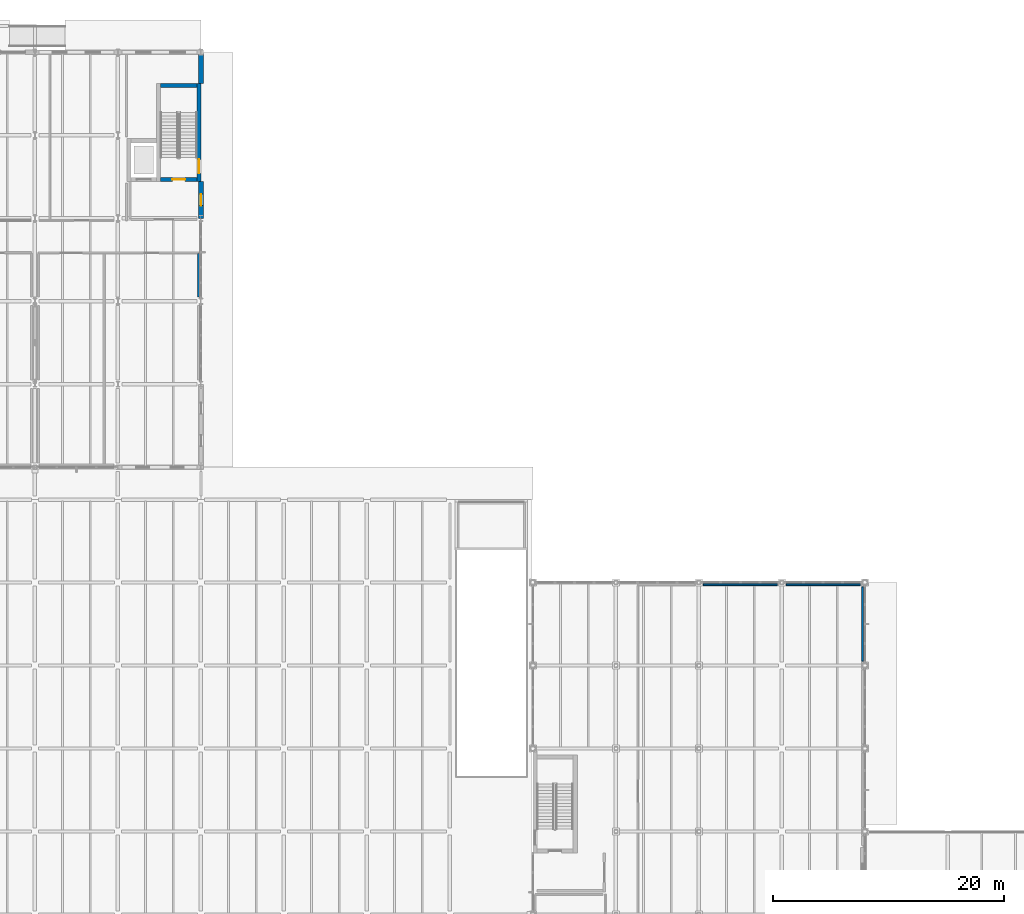
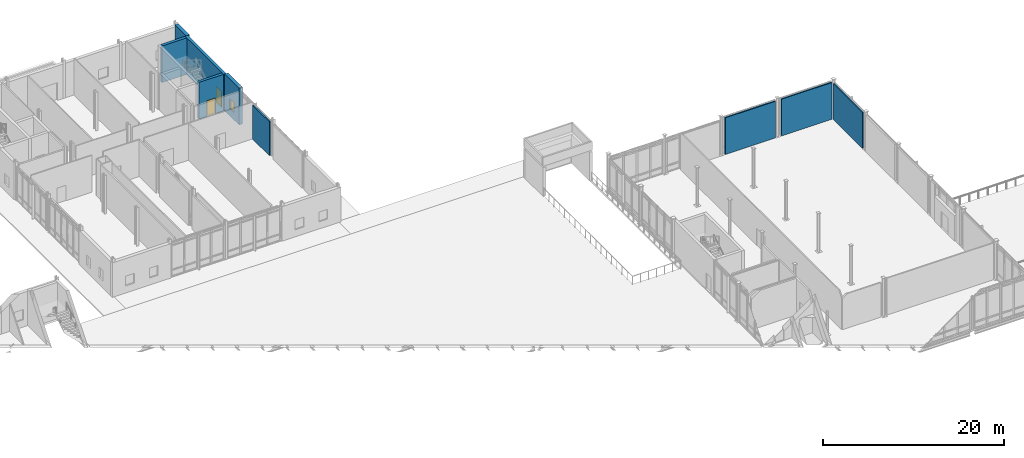
# One storey, part 70 of 89: 9 walls, 2 doors, 1 window, 3 openings.
"""IFC4 building model written with IfcOpenShell, lengths in metres."""

from ifc_helpers import new_model, si_unit, direction, frame, frame_2d, origin, place, context, subcontext, project, spatial, rectangle, extrude, material, layer, layer_set, type_object, element, fill, save


model = new_model("IFC4")

# Units and contexts
model_context = context("Model", 3, precision=1e-05, world=origin(), true_north=direction((0.0, 1.0)))
body_context = subcontext(model_context, "Body", "Model", "MODEL_VIEW")
ifc_project = project(units=[si_unit("LENGTHUNIT", "METRE"), si_unit("AREAUNIT", "SQUARE_METRE"), si_unit("VOLUMEUNIT", "CUBIC_METRE"), si_unit("PLANEANGLEUNIT", "RADIAN"), si_unit("MASSUNIT", "GRAM", prefix="KILO")], contexts=[model_context])

# Site, building, storey
site_placement = place(None, origin())
site = spatial("IfcSite", under=ifc_project, at=site_placement, CompositionType="ELEMENT")
building_placement = place(site_placement, origin())
building = spatial("IfcBuilding", under=site, at=building_placement, Name="Zarrinpeak Specialist Clinic", CompositionType="ELEMENT")
storey_placement = place(building_placement, origin())
storey = spatial("IfcBuildingStorey", under=building, at=storey_placement, Name="L00", CompositionType="ELEMENT", Elevation=0.0)

# Wall, opening, door
ifc_material_1 = material(Name="Concrete C40/50", Category="concrete")
ifc_layer_1 = layer(ifc_material_1, 0.35009765625)
ifc_layer_set_1 = layer_set([ifc_layer_1], Name="Concrete C40/50")
wall_type_1 = type_object("IfcWallType", Name="WL-CR350", PredefinedType="SHEAR", material=ifc_layer_set_1)
wall_1_placement = place(storey_placement, frame((61.300048828125, 106.97509765625, 0.0), z_axis=(0.0, 0.0, 1.0), x_axis=(1.0, 0.0, 0.0)))
wall_1 = element("IfcWall", 1, at=wall_1_placement, inside=storey, type_object=wall_type_1, Name="L00 Core C12 Shear Wall STS", PredefinedType="SHEAR", context=body_context, shape_type="SweptSolid", body=[
    extrude(rectangle(XDim=3.14990234375, YDim=0.35009765625, at=frame_2d((1.574951171875, 0.0))), origin(), (0.0, 0.0, 1.0), 4.969970703125),
])
opening_1_placement = place(wall_1_placement, frame((1.02490234375, 0.0, 0.0)))
opening_1 = element("IfcOpeningElement", 2, at=opening_1_placement, cuts=wall_1, Name="Opening D-S02", PredefinedType="OPENING", context=body_context, shape_type="SweptSolid", body=[
    extrude(rectangle(XDim=1.10009765625, YDim=2.14990234375, at=frame_2d((0.550048828125, 1.074951171875))), frame((0.0, 0.18505859375, 0.0), z_axis=(0.0, -1.0, 0.0), x_axis=(1.0, 0.0, 0.0)), (0.0, 0.0, 1.0), 0.3701171875),
])
ifc_material_2 = material(Name="Powder-Coated Galvanised Steel", Category="steel")
door_type_1 = type_object("IfcDoorType", Name="DR-FD110", OperationType="SINGLE_SWING_RIGHT", PredefinedType="DOOR", material=ifc_material_2)
door_1_placement = place(opening_1_placement, origin())
door_1 = element("IfcDoor", 3, at=door_1_placement, inside=storey, type_object=door_type_1, Name="L00 Protected Stair ST-12 Fire Door", OperationType="SINGLE_SWING_RIGHT", OverallHeight=2.14990234375, OverallWidth=1.10009765625, PredefinedType="DOOR", context=body_context, shape_type="SweptSolid", body=[
    extrude(rectangle(XDim=1.10009765625, YDim=2.14990234375, at=frame_2d((0.550048828125, 1.074951171875))), frame((0.0, 0.02490234375, 0.0), z_axis=(0.0, -1.0, 0.0), x_axis=(1.0, 0.0, 0.0)), (0.0, 0.0, 1.0), 0.050048828125),
])
fill(opening_1, door_1)

# Wall
wall_2_placement = place(storey_placement, frame((61.300048828125, 115.125, 0.0), z_axis=(0.0, 0.0, 1.0), x_axis=(1.0, 0.0, 0.0)))
element("IfcWall", 4, at=wall_2_placement, inside=storey, type_object=wall_type_1, Name="L00 Core C12 Shear Wall STN", PredefinedType="SHEAR", context=body_context, shape_type="SweptSolid", body=[
    extrude(rectangle(XDim=3.14990234375, YDim=0.35009765625, at=frame_2d((1.574951171875, 0.0))), origin(), (0.0, 0.0, 1.0), 4.969970703125),
])

# Wall, opening, door
wall_3_placement = place(storey_placement, frame((64.625, 106.800048828125, 0.0), z_axis=(0.0, 0.0, 1.0), x_axis=(0.0, 1.0, 0.0)))
wall_3 = element("IfcWall", 5, at=wall_3_placement, inside=storey, type_object=wall_type_1, Name="L00 Core C12 Shear Wall STE", PredefinedType="SHEAR", context=body_context, shape_type="SweptSolid", body=[
    extrude(rectangle(XDim=8.5, YDim=0.35009765625, at=frame_2d((4.25, 0.0))), origin(), (0.0, 0.0, 1.0), 4.969970703125),
])
opening_2_placement = place(wall_3_placement, frame((0.699951171875, 0.0, 0.0)))
opening_2 = element("IfcOpeningElement", 6, at=opening_2_placement, cuts=wall_3, Name="Opening D-EX2", PredefinedType="OPENING", context=body_context, shape_type="SweptSolid", body=[
    extrude(rectangle(XDim=1.199951171875, YDim=2.14990234375, at=frame_2d((0.60009765625, 1.074951171875))), frame((0.0, 0.18505859375, 0.0), z_axis=(0.0, -1.0, 0.0), x_axis=(1.0, 0.0, 0.0)), (0.0, 0.0, 1.0), 0.3701171875),
])
ifc_material_3 = material(Name="Powder-Coated Steel and Safety Glazing", Category="steel")
door_type_2 = type_object("IfcDoorType", Name="DR-EX120", OperationType="SINGLE_SWING_LEFT", PredefinedType="DOOR", material=ifc_material_3)
door_2_placement = place(opening_2_placement, frame((1.199951171875, 0.0, 0.0), z_axis=(0.0, 0.0, 1.0), x_axis=(-1.0, 0.0, 0.0)))
door_2 = element("IfcDoor", 7, at=door_2_placement, inside=storey, type_object=door_type_2, Name="L00 Protected Stair ST-12 Final Exit Discharge Door ED-12", OperationType="SINGLE_SWING_LEFT", OverallHeight=2.14990234375, OverallWidth=1.199951171875, PredefinedType="DOOR", context=body_context, shape_type="SweptSolid", body=[
    extrude(rectangle(XDim=1.199951171875, YDim=2.14990234375, at=frame_2d((0.60009765625, 1.074951171875))), frame((0.0, 0.02490234375, 0.0), z_axis=(0.0, -1.0, 0.0), x_axis=(1.0, 0.0, 0.0)), (0.0, 0.0, 1.0), 0.050048828125),
])
fill(opening_2, door_2)

# Wall, opening, window
ifc_material_4 = material(Name="Precast concrete C40/50", Category="concrete")
ifc_layer_2 = layer(ifc_material_4, 0.419921875)
ifc_layer_set_2 = layer_set([ifc_layer_2], Name="Precast concrete C40/50")
wall_type_2 = type_object("IfcWallType", Name="WL-EW420", PredefinedType="STANDARD", material=ifc_layer_set_2)
wall_4_placement = place(storey_placement, frame((64.800048828125, 103.60009765625, 0.0), z_axis=(0.0, 0.0, 1.0), x_axis=(0.0, 1.0, 0.0)))
wall_4 = element("IfcWall", 8, at=wall_4_placement, inside=storey, type_object=wall_type_2, Name="L00 V6 Exterior GRC Wall EW-L00-V6-0275", PredefinedType="STANDARD", context=body_context, shape_type="SweptSolid", body=[
    extrude(rectangle(XDim=3.199951171875, YDim=0.419921875, at=frame_2d((1.60009765625, 0.0))), origin(), (0.0, 0.0, 1.0), 4.969970703125),
])
opening_3_placement = place(wall_4_placement, frame((1.10205078125, 0.0, 0.949951171875)))
opening_3 = element("IfcOpeningElement", 9, at=opening_3_placement, cuts=wall_4, Name="Opening WS-44", PredefinedType="OPENING", context=body_context, shape_type="SweptSolid", body=[
    extrude(rectangle(XDim=0.99609375, YDim=1.367919921875, at=frame_2d((0.498046875, 0.68408203125))), frame((0.0, 0.219970703125, 0.0), z_axis=(0.0, -1.0, 0.0), x_axis=(1.0, 0.0, 0.0)), (0.0, 0.0, 1.0), 0.43994140625),
])
ifc_material_5 = material(Name="Thermally Broken Aluminium and Low-E Glazing", Category="aluminium")
window_type = type_object("IfcWindowType", Name="WN-SP44", PartitioningType="SINGLE_PANEL", PredefinedType="WINDOW", material=ifc_material_5)
window_placement = place(opening_3_placement, origin())
window = element("IfcWindow", 10, at=window_placement, inside=storey, type_object=window_type, Name="L00 Modular Facade Window WN-L00-0310", OverallHeight=1.367919921875, OverallWidth=0.99609375, PartitioningType="SINGLE_PANEL", PredefinedType="WINDOW", context=body_context, shape_type="SweptSolid", body=[
    extrude(rectangle(XDim=0.99609375, YDim=1.367919921875, at=frame_2d((0.498046875, 0.68408203125))), frame((0.0, 0.030029296875, 0.0), z_axis=(0.0, -1.0, 0.0), x_axis=(1.0, 0.0, 0.0)), (0.0, 0.0, 1.0), 0.06005859375),
])
fill(opening_3, window)

# Walls
wall_5_placement = place(storey_placement, frame((64.800048828125, 115.300048828125, 0.0), z_axis=(0.0, 0.0, 1.0), x_axis=(0.0, 1.0, 0.0)))
element("IfcWall", 11, at=wall_5_placement, inside=storey, type_object=wall_type_2, Name="L00 V6 Exterior GRC Wall EW-L00-V6-0276", PredefinedType="STANDARD", context=body_context, shape_type="SweptSolid", body=[
    extrude(rectangle(XDim=2.489990234375, YDim=0.419921875, at=frame_2d((1.2451171875, 0.0))), origin(), (0.0, 0.0, 1.0), 4.969970703125),
])
ifc_material_6 = material(Name="Insulated Clinical Gypsum Stud Partition", Category="gypsum")
ifc_layer_3 = layer(ifc_material_6, 0.14990234375)
ifc_layer_set_3 = layer_set([ifc_layer_3], Name="Insulated Clinical Gypsum Stud Partition")
wall_type_3 = type_object("IfcWallType", Name="WL-IW150", PredefinedType="PARTITIONING", material=ifc_layer_set_3)
wall_6_placement = place(storey_placement, frame((108.3798828125, 71.800048828125, 0.0), z_axis=(0.0, 0.0, 1.0), x_axis=(1.0, 0.0, 0.0)))
element("IfcWall", 12, at=wall_6_placement, inside=storey, type_object=wall_type_3, Name="L00 Therapeutic Winterhouse Hall Partition", PredefinedType="PARTITIONING", context=body_context, shape_type="SweptSolid", body=[
    extrude(rectangle(XDim=6.440185546875, YDim=0.14990234375, at=frame_2d((3.22021484375, 0.0))), origin(), (0.0, 0.0, 1.0), 4.969970703125),
])
wall_7_placement = place(storey_placement, frame((115.580078125, 71.800048828125, 0.0), z_axis=(0.0, 0.0, 1.0), x_axis=(1.0, 0.0, 0.0)))
element("IfcWall", 13, at=wall_7_placement, inside=storey, type_object=wall_type_3, Name="L00 Therapeutic Winterhouse Hall Partition", PredefinedType="PARTITIONING", context=body_context, shape_type="SweptSolid", body=[
    extrude(rectangle(XDim=6.43994140625, YDim=0.14990234375, at=frame_2d((3.219970703125, 0.0))), origin(), (0.0, 0.0, 1.0), 4.969970703125),
])
wall_8_placement = place(storey_placement, frame((64.60009765625, 96.780029296875, 0.0), z_axis=(0.0, 0.0, 1.0), x_axis=(0.0, 1.0, 0.0)))
element("IfcWall", 14, at=wall_8_placement, inside=storey, type_object=wall_type_3, Name="L00 Specialist Consultation Room 2 Dividing Partition", PredefinedType="PARTITIONING", context=body_context, shape_type="SweptSolid", body=[
    extrude(rectangle(XDim=3.7490234375, YDim=0.14990234375, at=frame_2d((1.87451171875, 0.0))), origin(), (0.0, 0.0, 1.0), 4.594970703125),
])
wall_9_placement = place(storey_placement, frame((122.199951171875, 65.179931640625, 0.0), z_axis=(0.0, 0.0, 1.0), x_axis=(0.0, 1.0, 0.0)))
element("IfcWall", 15, at=wall_9_placement, inside=storey, type_object=wall_type_3, Name="L00 Therapeutic Winterhouse Hall Dividing Partition", PredefinedType="PARTITIONING", context=body_context, shape_type="SweptSolid", body=[
    extrude(rectangle(XDim=6.440185546875, YDim=0.14990234375, at=frame_2d((3.22021484375, 0.0))), origin(), (0.0, 0.0, 1.0), 4.875),
])

save(model, "model.ifc")
